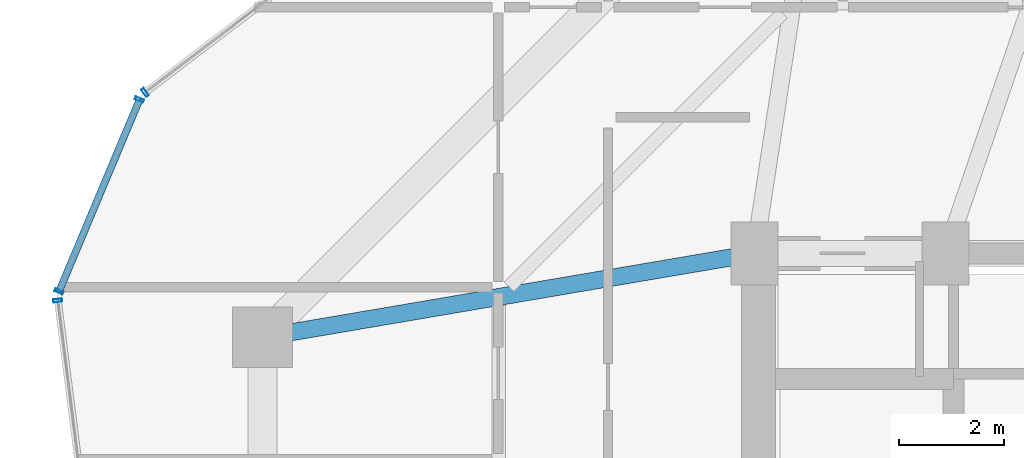
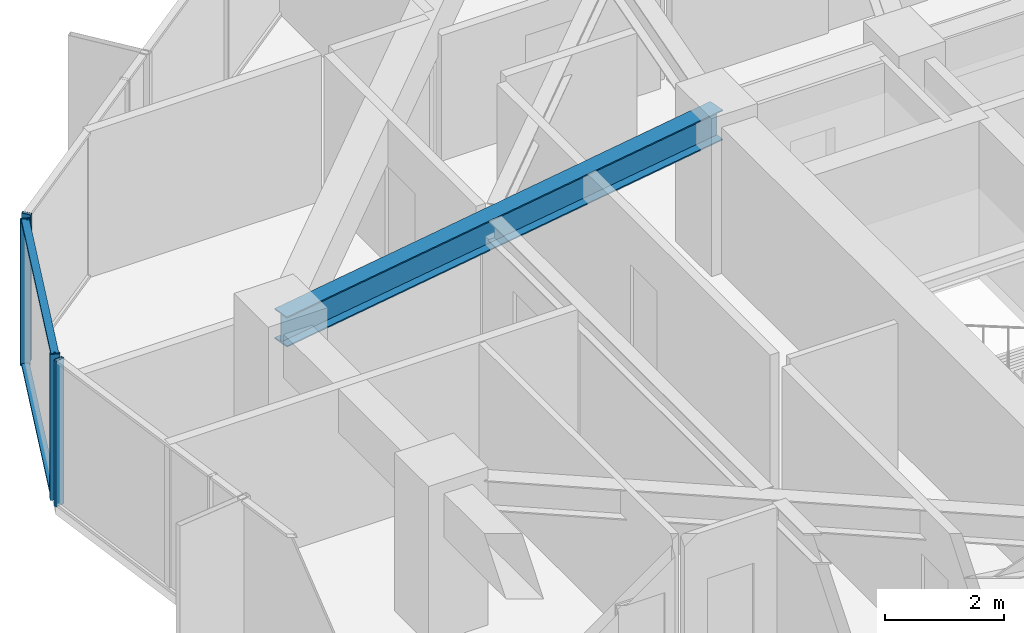
# One storey, part 13 of 33: 6 members, 1 beam, 3 elements without a shape of their own.
"""IFC4 building model written with IfcOpenShell, lengths in metres."""

from ifc_helpers import new_model, si_unit, direction, frame, origin, origin_2d, place, context, subcontext, project, spatial, hollow_rectangle, i_section, extrude, source, transform, mapped, material, layer, layer_set, material_profile, profile_set, type_object, element, aggregate, save


model = new_model("IFC4")

# Units and contexts
model_context = context("Model", 3, precision=1e-05, world=origin(), true_north=direction((0.0, 1.0)))
body_context = subcontext(model_context, "Body", "Model", "MODEL_VIEW")
ifc_project = project(units=[si_unit("LENGTHUNIT", "METRE"), si_unit("AREAUNIT", "SQUARE_METRE"), si_unit("VOLUMEUNIT", "CUBIC_METRE"), si_unit("PLANEANGLEUNIT", "RADIAN"), si_unit("MASSUNIT", "GRAM", prefix="KILO")], contexts=[model_context])

# Site, building, storey
site_placement = place(None, origin())
site = spatial("IfcSite", under=ifc_project, at=site_placement, CompositionType="ELEMENT")
building_placement = place(site_placement, origin())
building = spatial("IfcBuilding", under=site, at=building_placement, Name="Veraguas Prism Commons", CompositionType="ELEMENT")
storey_placement = place(building_placement, frame((0.0, 0.0, 152.25)))
storey = spatial("IfcBuildingStorey", under=building, at=storey_placement, Name="L43", CompositionType="ELEMENT", Elevation=152.25)

# Beam
ifc_material_1 = material(Name="Steel ASTM A992 Grade 50", Category="steel")
ifc_material_profile_1 = material_profile(ifc_material_1, i_section(OverallWidth=0.327880859375, OverallDepth=0.6220703125, WebThickness=0.015380859375, FlangeThickness=0.0244140625, at=origin_2d()), Name="W610X195")
ifc_profile_set_1 = profile_set([ifc_material_profile_1], Name="Steel ASTM A992 Grade 50")
beam_type = type_object("IfcBeamType", Name="Zone 2 Radial Girder W610x195", PredefinedType="BEAM", material=ifc_profile_set_1)
beam_placement = place(storey_placement, frame((7.800048828125, 29.39990234375, 2.68896484375), z_axis=(0.985819187151, 0.1678109956, 0.0), x_axis=(-0.1678109956, 0.985819187151, 0.0)))
element("IfcBeam", 1, at=beam_placement, inside=storey, type_object=beam_type, Name="Radial Floor Girder L43-RD07", PredefinedType="BEAM", context=body_context, shape_type="SweptSolid", body=[
    extrude(i_section(OverallWidth=0.327880859375, OverallDepth=0.6220703125, WebThickness=0.015380859375, FlangeThickness=0.0244140625, at=origin_2d()), origin(), (0.0, 0.0, 1.0), 9.53515625),
])

# Curtain wall, member
ifc_material_2 = material(Name="Anodised aluminium EN AW-6063 T6", Category="aluminium")
ifc_layer = layer(ifc_material_2, 0.169921875, Name="Unitised Flush Curtain Wall Zone 2", Category="aluminium")
ifc_layer_set = layer_set([ifc_layer], Name="Anodised aluminium EN AW-6063 T6")
curtain_wall_type = type_object("IfcCurtainWallType", Name="Unitised Flush Curtain Wall Zone 2", PredefinedType="NOTDEFINED", material=ifc_layer_set)
curtain_wall_1_placement = place(storey_placement, origin())
curtain_wall_1 = element("IfcCurtainWall", 2, at=curtain_wall_1_placement, inside=storey, type_object=curtain_wall_type, Name="Tower Facade Curtain Wall L43-F2", PredefinedType="NOTDEFINED")
ifc_material_profile_2 = material_profile(ifc_material_2, hollow_rectangle(XDim=0.06005859375, YDim=0.169921875, WallThickness=0.00390625, at=origin_2d()), Name="AL60X170X4")
ifc_profile_set_2 = profile_set([ifc_material_profile_2], Name="Anodised aluminium EN AW-6063 T6")
member_type_1 = type_object("IfcMemberType", Name="Curtain Wall Mullion Lower AL 60x170x4", PredefinedType="MULLION", material=ifc_profile_set_2)
shared_shape_1 = source(origin(), body_context, "Body", "SweptSolid", [
    extrude(hollow_rectangle(XDim=0.06005859375, YDim=0.169921875, WallThickness=0.00390625, at=origin_2d()), origin(), (0.0, 0.0, 1.0), 3.0),
])
member_1_placement = place(storey_placement, frame((5.555419921875, 34.07470703125, 0.0), z_axis=(0.0, 0.0, 1.0), x_axis=(-0.796104465545, -0.605159218668, 0.0)))
member_1 = element("IfcMember", 3, at=member_1_placement, type_object=member_type_1, Name="CW-Z2 Mullion 5", PredefinedType="MULLION", context=body_context, shape_type="MappedRepresentation", body=[
    mapped(shared_shape_1, transform((0.0, 0.0, 0.0), scale=1.0)),
])
aggregate(curtain_wall_1, [member_1])

curtain_wall_2_placement = place(storey_placement, origin())
curtain_wall_2 = element("IfcCurtainWall", 4, at=curtain_wall_2_placement, inside=storey, type_object=curtain_wall_type, Name="Tower Facade Curtain Wall L43-F3", PredefinedType="NOTDEFINED")
member_2_placement = place(storey_placement, frame((3.88818359375, 30.101318359375, 0.0), z_axis=(0.0, 0.0, 1.0), x_axis=(0.126020635446, -0.992027620302, 0.0)))
member_2 = element("IfcMember", 5, at=member_2_placement, type_object=member_type_1, Name="CW-Z2 Mullion 1", PredefinedType="MULLION", context=body_context, shape_type="MappedRepresentation", body=[
    mapped(shared_shape_1, transform((0.0, 0.0, 0.0), scale=1.0)),
])
aggregate(curtain_wall_2, [member_2])

# Curtain wall, members
curtain_wall_3_placement = place(storey_placement, origin())
curtain_wall_3 = element("IfcCurtainWall", 6, at=curtain_wall_3_placement, inside=storey, type_object=curtain_wall_type, Name="Chamfer Curtain Wall L43-C3", PredefinedType="NOTDEFINED")
member_3_placement = place(storey_placement, frame((5.448974609375, 33.937255859375, 0.0), z_axis=(0.0, 0.0, 1.0), x_axis=(-0.386881566717, -0.922129412466, 0.0)))
member_3 = element("IfcMember", 7, at=member_3_placement, type_object=member_type_1, Name="CW-Z2 Mullion 1", PredefinedType="MULLION", context=body_context, shape_type="MappedRepresentation", body=[
    mapped(shared_shape_1, transform((0.0, 0.0, 0.0), scale=1.0)),
])
member_4_placement = place(storey_placement, frame((3.91162109375, 30.2734375, 0.0), z_axis=(0.0, 0.0, 1.0), x_axis=(-0.386881566717, -0.922129412466, 0.0)))
member_4 = element("IfcMember", 8, at=member_4_placement, type_object=member_type_1, Name="CW-Z2 Mullion 2", PredefinedType="MULLION", context=body_context, shape_type="MappedRepresentation", body=[
    mapped(shared_shape_1, transform((0.0, 0.0, 0.0), scale=1.0)),
])
ifc_material_profile_3 = material_profile(ifc_material_2, hollow_rectangle(XDim=0.054931640625, YDim=0.135009765625, WallThickness=0.0029296875, at=origin_2d()), Name="AL55X135X3")
ifc_profile_set_3 = profile_set([ifc_material_profile_3], Name="Anodised aluminium EN AW-6063 T6")
member_type_2 = type_object("IfcMemberType", Name="Curtain Wall Transom Standard AL 55x135x3", PredefinedType="USERDEFINED", material=ifc_profile_set_3)
shared_shape_2 = source(origin(), body_context, "Body", "SweptSolid", [
    extrude(hollow_rectangle(XDim=0.054931640625, YDim=0.135009765625, WallThickness=0.0029296875, at=origin_2d()), origin(), (0.0, 0.0, 1.0), 3.973388671875),
])
member_5_placement = place(storey_placement, frame((5.448974609375, 33.937255859375, 0.027587890625), z_axis=(-0.386922205572, -0.922112361285, 0.0), x_axis=(0.0, 0.0, 1.0)))
member_5 = element("IfcMember", 9, at=member_5_placement, type_object=member_type_2, Name="CW-Z2 Transom 1", ObjectType="TRANSOM", PredefinedType="USERDEFINED", context=body_context, shape_type="MappedRepresentation", body=[
    mapped(shared_shape_2, transform((0.0, 0.0, 0.0), scale=1.0)),
])
member_6_placement = place(storey_placement, frame((5.448974609375, 33.937255859375, 2.972412109375), z_axis=(-0.386922205572, -0.922112361285, 0.0), x_axis=(0.0, 0.0, 1.0)))
member_6 = element("IfcMember", 10, at=member_6_placement, type_object=member_type_2, Name="CW-Z2 Transom 2", ObjectType="TRANSOM", PredefinedType="USERDEFINED", context=body_context, shape_type="MappedRepresentation", body=[
    mapped(shared_shape_2, transform((0.0, 0.0, 0.0), scale=1.0)),
])
aggregate(curtain_wall_3, [member_3, member_4, member_5, member_6])

save(model, "model.ifc")
